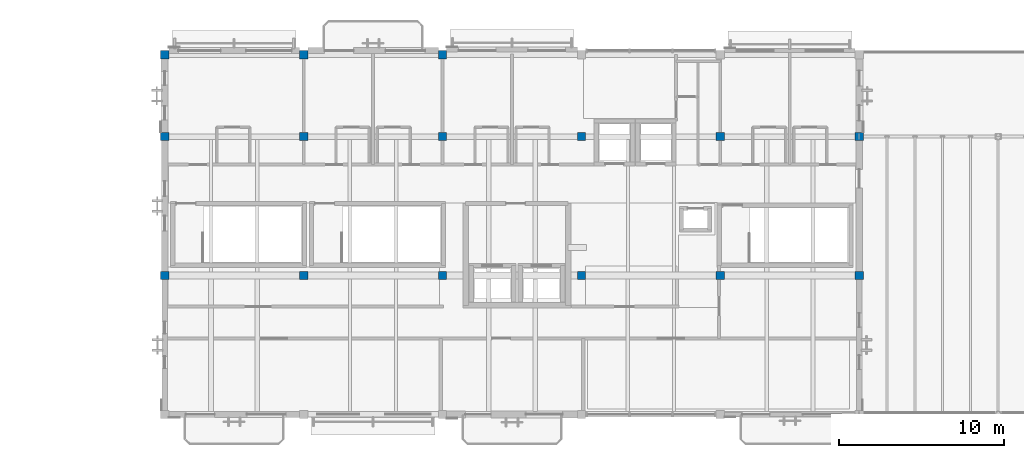
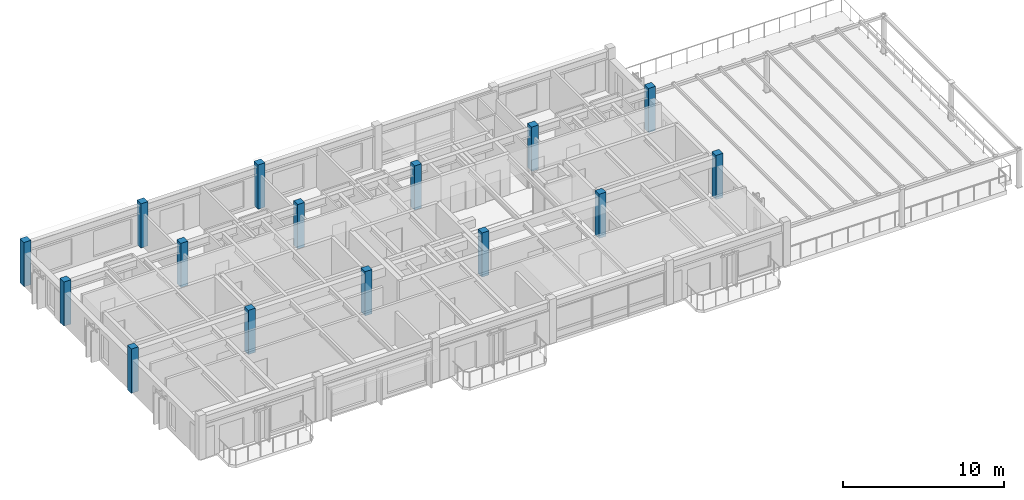
# One storey, part 3 of 24: 15 columns.
"""IFC4 building model written with IfcOpenShell, lengths in metres."""

from ifc_helpers import new_model, si_unit, direction, frame, origin, origin_2d, place, context, subcontext, project, spatial, rectangle, extrude, material, material_profile, profile_set, type_object, element, save


model = new_model("IFC4")

# Units and contexts
model_context = context("Model", 3, precision=1e-05, world=origin(), true_north=direction((0.0, 1.0)))
body_context = subcontext(model_context, "Body", "Model", "MODEL_VIEW")
ifc_project = project(units=[si_unit("LENGTHUNIT", "METRE"), si_unit("AREAUNIT", "SQUARE_METRE"), si_unit("VOLUMEUNIT", "CUBIC_METRE"), si_unit("PLANEANGLEUNIT", "RADIAN"), si_unit("MASSUNIT", "GRAM", prefix="KILO")], contexts=[model_context])

# Site, building, storey
site_placement = place(None, origin())
site = spatial("IfcSite", under=ifc_project, at=site_placement, CompositionType="ELEMENT")
building_placement = place(site_placement, origin())
building = spatial("IfcBuilding", under=site, at=building_placement, Name="Cumbredor Promenade Congress Hotel", CompositionType="ELEMENT")
storey_placement = place(building_placement, frame((0.0, 0.0, 35.280029296875)))
storey = spatial("IfcBuildingStorey", under=building, at=storey_placement, Name="L10", CompositionType="ELEMENT", Elevation=35.280029296875)

# Columns
ifc_material = material(Name="Concrete C40/50", Category="concrete")
ifc_material_profile = material_profile(ifc_material, rectangle(XDim=0.5, YDim=0.5, at=origin_2d()), Name="RC 500x500")
ifc_profile_set = profile_set([ifc_material_profile], Name="Concrete C40/50")
column_type = type_object("IfcColumnType", Name="COL-RC-500", PredefinedType="COLUMN", material=ifc_profile_set)
for number, where, z_axis, x_axis, name in (
    (1, (8.39990234375, 100.800048828125, 0.0), (0.0, 0.0, 1.0), (1.0, 0.0, 0.0), "L10 Structural Column 002"),
    (2, (8.39990234375, 109.199951171875, 0.0), (0.0, 0.0, 1.0), (1.0, 0.0, 0.0), "L10 Structural Column 003"),
    (3, (8.39990234375, 114.14990234375, 0.0), (0.0, 0.0, 1.0), (1.0, 0.0, 0.0), "L10 Structural Column 004"),
    (4, (16.800048828125, 100.800048828125, 0.0), (0.0, 0.0, 1.0), (1.0, 0.0, 0.0), "L10 Structural Column 006"),
    (5, (16.800048828125, 109.199951171875, 0.0), (0.0, 0.0, 1.0), (1.0, 0.0, 0.0), "L10 Structural Column 007"),
    (6, (16.800048828125, 114.14990234375, 0.0), (0.0, 0.0, 1.0), (1.0, 0.0, 0.0), "L10 Structural Column 008"),
    (7, (25.199951171875, 100.800048828125, 0.0), (0.0, 0.0, 1.0), (1.0, 0.0, 0.0), "L10 Structural Column 010"),
    (8, (25.199951171875, 109.199951171875, 0.0), (0.0, 0.0, 1.0), (1.0, 0.0, 0.0), "L10 Structural Column 011"),
    (9, (25.199951171875, 114.14990234375, 0.0), (0.0, 0.0, 1.0), (1.0, 0.0, 0.0), "L10 Structural Column 012"),
    (10, (33.60009765625, 100.800048828125, 0.0), (0.0, 0.0, 1.0), (1.0, 0.0, 0.0), "L10 Structural Column 014"),
    (11, (33.60009765625, 109.199951171875, 0.0), (0.0, 0.0, 1.0), (1.0, 0.0, 0.0), "L10 Structural Column 015"),
    (12, (42.0, 100.800048828125, 0.0), (0.0, 0.0, 1.0), (1.0, 0.0, 0.0), "L10 Structural Column 018"),
    (13, (42.0, 109.199951171875, 0.0), (0.0, 0.0, 1.0), (1.0, 0.0, 0.0), "L10 Structural Column 019"),
    (14, (50.39990234375, 100.800048828125, 0.0), (0.0, 0.0, 1.0), (1.0, 0.0, 0.0), "L10 Structural Column 022"),
    (15, (50.39990234375, 109.199951171875, 0.0), (0.0, 0.0, 1.0), (1.0, 0.0, 0.0), "L10 Structural Column 023"),
):
    element("IfcColumn", number, at=place(storey_placement, frame(where, z_axis=z_axis, x_axis=x_axis)), inside=storey, type_object=column_type, Name=name, PredefinedType="COLUMN", context=body_context, shape_type="SweptSolid", body=[
        extrude(rectangle(XDim=0.5, YDim=0.5, at=origin_2d()), origin(), (0.0, 0.0, 1.0), 3.35986328125),
    ])

save(model, "model.ifc")
